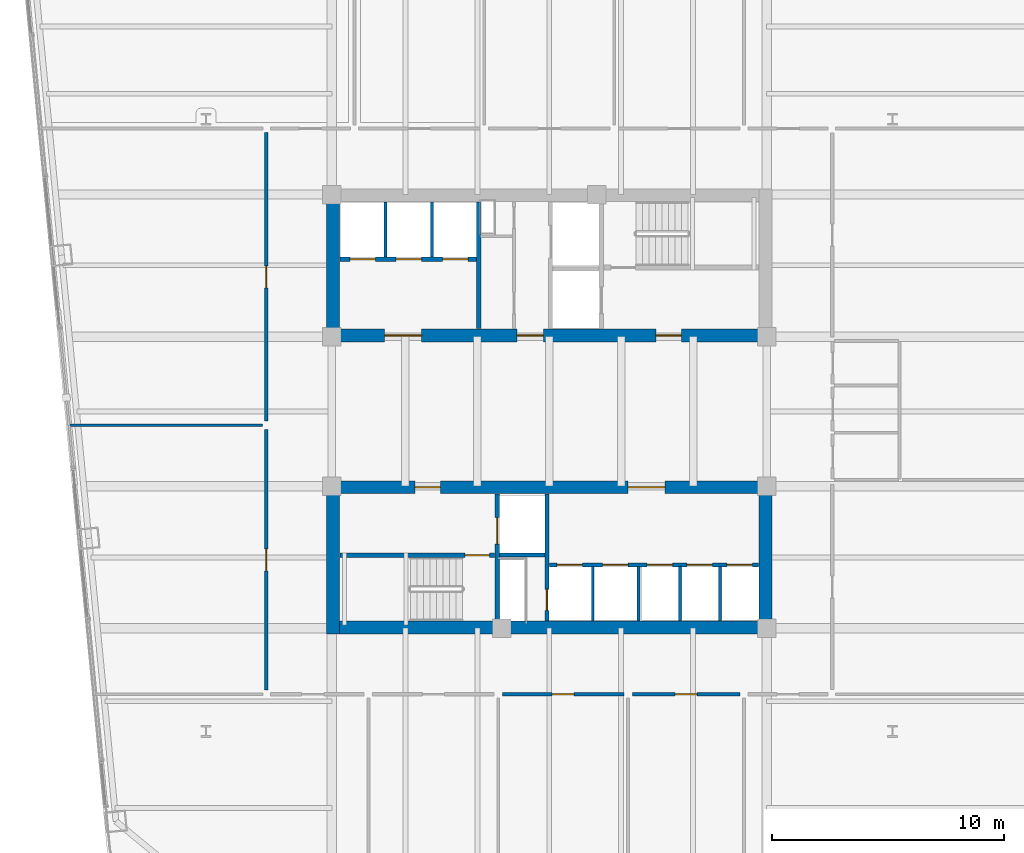
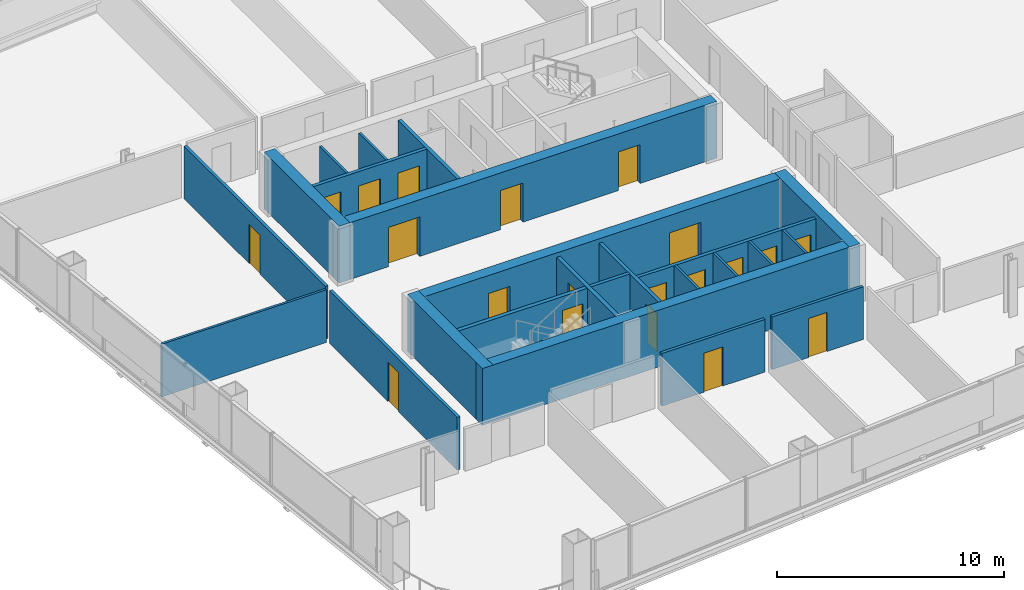
# One storey, part 29 of 34: 24 walls, 20 doors, 20 openings.
"""IFC4 building model written with IfcOpenShell, lengths in metres."""

import ifcopenshell
import ifcopenshell.guid

model = None  # the IFC model being written
_history = None  # IfcOwnerHistory: only IFC2X3 demands one
_inside = {}  # id of a spatial element -> (the spatial element, [elements in it])
_under = {}  # id of a project, library or spatial element -> (it, [spatial elements below it])
_declared = {}  # id of a project -> (the project, [libraries it declares])
_typed = {}  # id of a type object -> (the type object, [elements of that type])
_made_of = {}  # id of a material, layer set ... -> (it, [elements and type objects made of it])


def new_model(schema):
    """Start an empty IFC model of exactly this schema.

    Asked for "IFC4X3", IfcOpenShell would pick the latest addendum, in which some entities
    have other attributes; the version numbers below select the first issue.
    IFC2X3 requires an IfcOwnerHistory on every rooted entity: one is made here for all.
    """
    global model, _history
    if schema == "IFC4X3":
        model = ifcopenshell.file(schema_version=(4, 3, 0, 0))
    else:
        model = ifcopenshell.file(schema=schema)
    _inside.clear()
    _under.clear()
    _declared.clear()
    _typed.clear()
    _made_of.clear()
    _history = None
    if model.schema == "IFC2X3":
        org = make("IfcOrganization", Name="unknown")
        user = make(
            "IfcPersonAndOrganization",
            ThePerson=make("IfcPerson", FamilyName="unknown"),
            TheOrganization=org,
        )
        app = make(
            "IfcApplication",
            ApplicationDeveloper=org,
            Version="unknown",
            ApplicationFullName="unknown",
            ApplicationIdentifier="unknown",
        )
        _history = make(
            "IfcOwnerHistory",
            OwningUser=user,
            OwningApplication=app,
            ChangeAction="ADDED",
            CreationDate=0,
        )
    return model


def make(cls, **values):
    """One entity of the class cls with the attributes given. An attribute that is None is left unset."""
    return model.create_entity(
        cls, **{name: value for name, value in values.items() if value is not None}
    )


def rooted(cls, **values):
    """An entity with a GlobalId (a new one), such as an element, a storey or a relation."""
    return make(cls, GlobalId=ifcopenshell.guid.new(), OwnerHistory=_history, **values)


def si_unit(unit_type, name, prefix=None):
    """IfcSIUnit, for example si_unit("LENGTHUNIT", "METRE", prefix="MILLI")."""
    return make("IfcSIUnit", UnitType=unit_type, Prefix=prefix, Name=name)


def assignment(units):
    """IfcUnitAssignment: the units of a project."""
    return None if units is None else make("IfcUnitAssignment", Units=units)


def point(xyz):
    """IfcCartesianPoint."""
    return None if xyz is None else make("IfcCartesianPoint", Coordinates=xyz)


def direction(xyz):
    """IfcDirection."""
    return None if xyz is None else make("IfcDirection", DirectionRatios=xyz)


def frame(location, z_axis=None, x_axis=None):
    """IfcAxis2Placement3D, a coordinate frame: its origin and axes. An axis left out is left unset."""
    return make(
        "IfcAxis2Placement3D",
        Location=point(location),
        Axis=direction(z_axis),
        RefDirection=direction(x_axis),
    )


def frame_2d(location, x_axis=None):
    """IfcAxis2Placement2D, a coordinate frame in the plane: its origin and x axis."""
    return make(
        "IfcAxis2Placement2D", Location=point(location), RefDirection=direction(x_axis)
    )


def origin():
    """The frame at (0, 0, 0) with its axes left unset."""
    return frame((0.0, 0.0, 0.0))


def place(relative_to, where):
    """IfcLocalPlacement: puts the frame where relative to a parent placement (None: the world)."""
    return make(
        "IfcLocalPlacement", PlacementRelTo=relative_to, RelativePlacement=where
    )


def context(
    kind, dimensions, precision=None, world=None, true_north=None, identifier=None
):
    """IfcGeometricRepresentationContext, for example the 3D "Model" context."""
    return make(
        "IfcGeometricRepresentationContext",
        ContextIdentifier=identifier,
        ContextType=kind,
        CoordinateSpaceDimension=dimensions,
        Precision=precision,
        WorldCoordinateSystem=world,
        TrueNorth=true_north,
    )


def subcontext(parent, identifier, kind, view, scale=None):
    """IfcGeometricRepresentationSubContext, for example "Body" below "Model"."""
    return make(
        "IfcGeometricRepresentationSubContext",
        ContextIdentifier=identifier,
        ContextType=kind,
        ParentContext=parent,
        TargetScale=scale,
        TargetView=view,
    )


def project(units=None, contexts=None):
    """IfcProject with its units and contexts."""
    return rooted(
        "IfcProject",
        Name="project",
        RepresentationContexts=contexts,
        UnitsInContext=assignment(units),
    )


def spatial(cls, under=None, at=None, **own):
    """A site, building, storey or space (cls), placed at a placement, below another one or the project."""
    s = rooted(cls, ObjectPlacement=at, **own)
    if under is not None:
        _under.setdefault(under.id(), (under, []))[1].append(s)
    return s


def profile(cls, at=None, kind="AREA", **sizes):
    """A parametric profile (cls). Its sizes go by their IFC names, for example OverallWidth=200.0."""
    return make(cls, ProfileType=kind, Position=at, **sizes)


def rectangle(**sizes):
    """IfcRectangleProfileDef."""
    return profile("IfcRectangleProfileDef", **sizes)


def extrude(swept, where, along, depth):
    """IfcExtrudedAreaSolid: the profile swept, set in the frame where, extruded along a direction by depth."""
    return make(
        "IfcExtrudedAreaSolid",
        SweptArea=swept,
        Position=where,
        ExtrudedDirection=direction(along),
        Depth=depth,
    )


def shape(context_of_items, identifier, shape_type, items):
    """IfcShapeRepresentation: the items that make up one representation, for example the "Body"."""
    return make(
        "IfcShapeRepresentation",
        ContextOfItems=context_of_items,
        RepresentationIdentifier=identifier,
        RepresentationType=shape_type,
        Items=items,
    )


def material(Name=None, Category=None):
    """IfcMaterial."""
    return make("IfcMaterial", Name=Name, Category=Category)


def layer(
    of_material, thickness, ventilated=None, Name=None, Category=None, Priority=None
):
    """IfcMaterialLayer: one layer of a wall or slab, of a material (None: an air gap)."""
    return make(
        "IfcMaterialLayer",
        Material=of_material,
        LayerThickness=thickness,
        IsVentilated=ventilated,
        Name=Name,
        Category=Category,
        Priority=Priority,
    )


def layer_set(layers, Name=None):
    """IfcMaterialLayerSet."""
    return make("IfcMaterialLayerSet", MaterialLayers=layers, LayerSetName=Name)


def made_of(thing, what):
    """Note that an element or type object is made of a material, layer set ...; save() writes the relation."""
    if what is not None:
        _made_of.setdefault(what.id(), (what, []))[1].append(thing)
    return thing


def type_object(cls, material=None, **own):
    """A type object (cls), such as IfcWallType, which elements share."""
    return made_of(rooted(cls, **own), material)


def element(
    cls,
    number,
    at=None,
    inside=None,
    cuts=None,
    type_object=None,
    material=None,
    context=None,
    identifier="Body",
    shape_type=None,
    held_by="IfcProductDefinitionShape",
    body=None,
    shapes=None,
    **own,
):
    """One element of the class cls, such as IfcWall. Its Tag is "e" and its number.

    at: its placement. inside: the storey or other place that contains it. cuts: it is an
    opening in that element (IfcRelVoidsElement). A single representation is given by context,
    identifier, shape_type and body (its items); several are given by shapes. held_by: the class
    of the entity that holds the representations. save() writes the other relations.
    """
    e = rooted(cls, Tag="e%d" % number, ObjectPlacement=at, **own)
    if body is not None:
        shapes = [shape(context, identifier, shape_type, body)]
    if shapes is not None:
        e.Representation = make(held_by, Representations=shapes)
    if inside is not None:
        _inside.setdefault(inside.id(), (inside, []))[1].append(e)
    if cuts is not None:
        rooted(
            "IfcRelVoidsElement", RelatingBuildingElement=cuts, RelatedOpeningElement=e
        )
    if type_object is not None:
        _typed.setdefault(type_object.id(), (type_object, []))[1].append(e)
    return made_of(e, material)


def fill(opening, filler):
    """IfcRelFillsElement: the door or window that sits in an opening."""
    return rooted(
        "IfcRelFillsElement",
        RelatingOpeningElement=opening,
        RelatedBuildingElement=filler,
    )


def aggregate(whole, parts):
    """IfcRelAggregates: a whole, such as a stair, and the parts it consists of."""
    return rooted("IfcRelAggregates", RelatingObject=whole, RelatedObjects=parts)


def save(model, path):
    """Write the relations noted so far, then the file.

    IfcRelAggregates (storeys below a building ...), IfcRelContainedInSpatialStructure (elements
    in a storey), IfcRelDefinesByType, IfcRelAssociatesMaterial and IfcRelDeclares: one each for
    every whole, place, type object, material and project.
    """
    for whole, parts in _under.values():
        aggregate(whole, parts)
    for where, things in _inside.values():
        rooted(
            "IfcRelContainedInSpatialStructure",
            RelatedElements=things,
            RelatingStructure=where,
        )
    for kind, things in _typed.values():
        rooted("IfcRelDefinesByType", RelatedObjects=things, RelatingType=kind)
    for what, things in _made_of.values():
        rooted("IfcRelAssociatesMaterial", RelatedObjects=things, RelatingMaterial=what)
    for by, libraries in _declared.values():
        rooted("IfcRelDeclares", RelatingContext=by, RelatedDefinitions=libraries)
    model.write(path)


model = new_model("IFC4")

# Units and contexts
model_context = context("Model", 3, precision=1e-05, world=origin(), true_north=direction((0.0, 1.0)))
body_context = subcontext(model_context, "Body", "Model", "MODEL_VIEW")
ifc_project = project(units=[si_unit("LENGTHUNIT", "METRE"), si_unit("AREAUNIT", "SQUARE_METRE"), si_unit("VOLUMEUNIT", "CUBIC_METRE"), si_unit("PLANEANGLEUNIT", "RADIAN"), si_unit("MASSUNIT", "GRAM", prefix="KILO")], contexts=[model_context])

# Site, building, storey
site_placement = place(None, origin())
site = spatial("IfcSite", under=ifc_project, at=site_placement, CompositionType="ELEMENT")
building_placement = place(site_placement, origin())
building = spatial("IfcBuilding", under=site, at=building_placement, Name="Qhalaya Broadcast Tower", CompositionType="ELEMENT")
storey_placement = place(building_placement, frame((0.0, 0.0, 78.60009765625)))
storey = spatial("IfcBuildingStorey", under=building, at=storey_placement, Name="L22", CompositionType="ELEMENT", Elevation=78.60009765625)

# Wall, opening, door
ifc_material_1 = material(Name="Gypsum Acoustic Partition")
ifc_layer_1 = layer(ifc_material_1, 0.14990234375, Name="Gypsum Acoustic Partition")
ifc_layer_set_1 = layer_set([ifc_layer_1], Name="Gypsum Acoustic Partition")
wall_type_1 = type_object("IfcWallType", Name="Corridor & Tenancy Acoustic Partition 150", PredefinedType="PARTITIONING", material=ifc_layer_set_1)
wall_1_placement = place(storey_placement, frame((-2.02001953125, -11.60009765625, 0.0), z_axis=(0.0, 0.0, 1.0), x_axis=(1.0, 0.0, 0.0)))
wall_1 = element("IfcWall", 1, at=wall_1_placement, inside=storey, type_object=wall_type_1, Name="L22 Partition Wall W-COR-08", PredefinedType="PARTITIONING", context=body_context, shape_type="SweptSolid", body=[
    extrude(rectangle(XDim=5.239990234375, YDim=0.14990234375, at=frame_2d((2.6201171875, 0.0))), origin(), (0.0, 0.0, 1.0), 2.829833984375),
])
opening_1_placement = place(wall_1_placement, frame((2.14501953125, 0.0, 0.0)))
opening_1 = element("IfcOpeningElement", 2, at=opening_1_placement, cuts=wall_1, Name="Opening D10", PredefinedType="OPENING", context=body_context, shape_type="SweptSolid", body=[
    extrude(rectangle(XDim=0.949951171875, YDim=2.10009765625, at=frame_2d((0.47509765625, 1.050048828125))), frame((0.0, 0.0869140625, 0.0), z_axis=(0.0, -1.0, 0.0), x_axis=(1.0, 0.0, 0.0)), (0.0, 0.0, 1.0), 0.173828125),
])
ifc_material_2 = material(Name="Timber Veneer Acoustic Door", Category="wood")
door_type_1 = type_object("IfcDoorType", Name="Cellular Office & Edit Booth Door D10", OperationType="NOTDEFINED", PredefinedType="DOOR", material=ifc_material_2)
door_1_placement = place(opening_1_placement, origin())
door_1 = element("IfcDoor", 3, at=door_1_placement, inside=storey, type_object=door_type_1, Name="L22 Door D-RM08", OperationType="SINGLE_SWING_LEFT", OverallHeight=2.10009765625, OverallWidth=0.949951171875, PredefinedType="DOOR", context=body_context, shape_type="SweptSolid", body=[
    extrude(rectangle(XDim=0.949951171875, YDim=2.10009765625, at=frame_2d((0.47509765625, 1.050048828125))), frame((0.0, 0.02490234375, 0.0), z_axis=(0.0, -1.0, 0.0), x_axis=(1.0, 0.0, 0.0)), (0.0, 0.0, 1.0), 0.050048828125),
])
fill(opening_1, door_1)

wall_2_placement = place(storey_placement, frame((3.580078125, -11.60009765625, 0.0), z_axis=(0.0, 0.0, 1.0), x_axis=(1.0, 0.0, 0.0)))
wall_2 = element("IfcWall", 4, at=wall_2_placement, inside=storey, type_object=wall_type_1, Name="L22 Partition Wall W-COR-09", PredefinedType="PARTITIONING", context=body_context, shape_type="SweptSolid", body=[
    extrude(rectangle(XDim=4.639892578125, YDim=0.14990234375, at=frame_2d((2.31982421875, 0.0))), origin(), (0.0, 0.0, 1.0), 2.829833984375),
])
opening_2_placement = place(wall_2_placement, frame((1.844970703125, 0.0, 0.0)))
opening_2 = element("IfcOpeningElement", 5, at=opening_2_placement, cuts=wall_2, Name="Opening D10", PredefinedType="OPENING", context=body_context, shape_type="SweptSolid", body=[
    extrude(rectangle(XDim=0.949951171875, YDim=2.10009765625, at=frame_2d((0.47509765625, 1.050048828125))), frame((0.0, 0.0869140625, 0.0), z_axis=(0.0, -1.0, 0.0), x_axis=(1.0, 0.0, 0.0)), (0.0, 0.0, 1.0), 0.173828125),
])
door_2_placement = place(opening_2_placement, origin())
door_2 = element("IfcDoor", 6, at=door_2_placement, inside=storey, type_object=door_type_1, Name="L22 Door D-RM09", OperationType="SINGLE_SWING_RIGHT", OverallHeight=2.10009765625, OverallWidth=0.949951171875, PredefinedType="DOOR", context=body_context, shape_type="SweptSolid", body=[
    extrude(rectangle(XDim=0.949951171875, YDim=2.10009765625, at=frame_2d((0.47509765625, 1.050048828125))), frame((0.0, 0.02490234375, 0.0), z_axis=(0.0, -1.0, 0.0), x_axis=(1.0, 0.0, 0.0)), (0.0, 0.0, 1.0), 0.050048828125),
])
fill(opening_2, door_2)

wall_3_placement = place(storey_placement, frame((-12.199951171875, -11.419921875, 0.0), z_axis=(0.0, 0.0, 1.0), x_axis=(0.0, 1.0, 0.0)))
wall_3 = element("IfcWall", 7, at=wall_3_placement, inside=storey, type_object=wall_type_1, Name="L22 Partition Wall W-COR-11", PredefinedType="PARTITIONING", context=body_context, shape_type="SweptSolid", body=[
    extrude(rectangle(XDim=11.239990234375, YDim=0.14990234375, at=frame_2d((5.6201171875, 0.0))), origin(), (0.0, 0.0, 1.0), 2.829833984375),
])
opening_3_placement = place(wall_3_placement, frame((5.14501953125, 0.0, 0.0)))
opening_3 = element("IfcOpeningElement", 8, at=opening_3_placement, cuts=wall_3, Name="Opening D10", PredefinedType="OPENING", context=body_context, shape_type="SweptSolid", body=[
    extrude(rectangle(XDim=0.949951171875, YDim=2.10009765625, at=frame_2d((0.47509765625, 1.050048828125))), frame((0.0, 0.0869140625, 0.0), z_axis=(0.0, -1.0, 0.0), x_axis=(1.0, 0.0, 0.0)), (0.0, 0.0, 1.0), 0.173828125),
])
door_3_placement = place(opening_3_placement, origin())
door_3 = element("IfcDoor", 9, at=door_3_placement, inside=storey, type_object=door_type_1, Name="L22 Door D-RM11", OperationType="SINGLE_SWING_RIGHT", OverallHeight=2.10009765625, OverallWidth=0.949951171875, PredefinedType="DOOR", context=body_context, shape_type="SweptSolid", body=[
    extrude(rectangle(XDim=0.949951171875, YDim=2.10009765625, at=frame_2d((0.47509765625, 1.050048828125))), frame((0.0, 0.02490234375, 0.0), z_axis=(0.0, -1.0, 0.0), x_axis=(1.0, 0.0, 0.0)), (0.0, 0.0, 1.0), 0.050048828125),
])
fill(opening_3, door_3)

wall_4_placement = place(storey_placement, frame((-12.199951171875, 0.179931640625, 0.0), z_axis=(0.0, 0.0, 1.0), x_axis=(0.0, 1.0, 0.0)))
wall_4 = element("IfcWall", 10, at=wall_4_placement, inside=storey, type_object=wall_type_1, Name="L22 Partition Wall W-COR-12", PredefinedType="PARTITIONING", context=body_context, shape_type="SweptSolid", body=[
    extrude(rectangle(XDim=12.440185546875, YDim=0.14990234375, at=frame_2d((6.22021484375, 0.0))), origin(), (0.0, 0.0, 1.0), 2.829833984375),
])
opening_4_placement = place(wall_4_placement, frame((5.7451171875, 0.0, 0.0)))
opening_4 = element("IfcOpeningElement", 11, at=opening_4_placement, cuts=wall_4, Name="Opening D10", PredefinedType="OPENING", context=body_context, shape_type="SweptSolid", body=[
    extrude(rectangle(XDim=0.949951171875, YDim=2.10009765625, at=frame_2d((0.47509765625, 1.050048828125))), frame((0.0, 0.0869140625, 0.0), z_axis=(0.0, -1.0, 0.0), x_axis=(1.0, 0.0, 0.0)), (0.0, 0.0, 1.0), 0.173828125),
])
door_4_placement = place(opening_4_placement, origin())
door_4 = element("IfcDoor", 12, at=door_4_placement, inside=storey, type_object=door_type_1, Name="L22 Door D-RM12", OperationType="SINGLE_SWING_LEFT", OverallHeight=2.10009765625, OverallWidth=0.949951171875, PredefinedType="DOOR", context=body_context, shape_type="SweptSolid", body=[
    extrude(rectangle(XDim=0.949951171875, YDim=2.10009765625, at=frame_2d((0.47509765625, 1.050048828125))), frame((0.0, 0.02490234375, 0.0), z_axis=(0.0, -1.0, 0.0), x_axis=(1.0, 0.0, 0.0)), (0.0, 0.0, 1.0), 0.050048828125),
])
fill(opening_4, door_4)

ifc_material_3 = material(Name="Concrete C50/60", Category="concrete")
ifc_layer_2 = layer(ifc_material_3, 0.199951171875, Name="Concrete C50/60")
ifc_layer_set_2 = layer_set([ifc_layer_2], Name="Concrete C50/60")
wall_type_2 = type_object("IfcWallType", Name="Load-Bearing Stair Shaft Wall 200", PredefinedType="SHEAR", material=ifc_layer_set_2)
wall_5_placement = place(storey_placement, frame((-9.030029296875, -5.60498046875, 0.0), z_axis=(0.0, 0.0, 1.0), x_axis=(1.0, 0.0, 0.0)))
wall_5 = element("IfcWall", 13, at=wall_5_placement, inside=storey, type_object=wall_type_2, Name="L22 Stair Core Shear Wall SCW-ST2", PredefinedType="SHEAR", context=body_context, shape_type="SweptSolid", body=[
    extrude(rectangle(XDim=6.669921875, YDim=0.199951171875, at=frame_2d((3.3349609375, 0.0))), origin(), (0.0, 0.0, 1.0), 2.829833984375),
])
opening_5_placement = place(wall_5_placement, frame((5.39990234375, 0.0, 0.0)))
opening_5 = element("IfcOpeningElement", 14, at=opening_5_placement, cuts=wall_5, Name="Opening D03", PredefinedType="OPENING", context=body_context, shape_type="SweptSolid", body=[
    extrude(rectangle(XDim=1.050048828125, YDim=2.080078125, at=frame_2d((0.52490234375, 1.0400390625))), frame((0.0, 0.112060546875, 0.0), z_axis=(0.0, -1.0, 0.0), x_axis=(1.0, 0.0, 0.0)), (0.0, 0.0, 1.0), 0.223876953125),
])
ifc_material_4 = material(Name="Fire-Rated Steel Door", Category="steel")
door_type_2 = type_object("IfcDoorType", Name="Core Stair Protected Fire Door D03", OperationType="NOTDEFINED", PredefinedType="DOOR", material=ifc_material_4)
door_5_placement = place(opening_5_placement, origin())
door_5 = element("IfcDoor", 15, at=door_5_placement, inside=storey, type_object=door_type_2, Name="L22 Door D-SST2", OperationType="SINGLE_SWING_RIGHT", OverallHeight=2.080078125, OverallWidth=1.050048828125, PredefinedType="DOOR", context=body_context, shape_type="SweptSolid", body=[
    extrude(rectangle(XDim=1.050048828125, YDim=2.080078125, at=frame_2d((0.52490234375, 1.0400390625))), frame((0.0, 0.02490234375, 0.0), z_axis=(0.0, -1.0, 0.0), x_axis=(1.0, 0.0, 0.0)), (0.0, 0.0, 1.0), 0.050048828125),
])
fill(opening_5, door_5)

wall_6_placement = place(storey_placement, frame((-2.25, -8.429931640625, 0.0), z_axis=(0.0, 0.0, 1.0), x_axis=(0.0, 1.0, 0.0)))
wall_6 = element("IfcWall", 16, at=wall_6_placement, inside=storey, type_object=wall_type_2, Name="L22 Stair Core Shear Wall SCW-FF", PredefinedType="SHEAR", context=body_context, shape_type="SweptSolid", body=[
    extrude(rectangle(XDim=5.4599609375, YDim=0.199951171875, at=frame_2d((2.72998046875, 0.0))), origin(), (0.0, 0.0, 1.0), 2.829833984375),
])
opening_6_placement = place(wall_6_placement, frame((3.300048828125, 0.0, 0.0)))
opening_6 = element("IfcOpeningElement", 17, at=opening_6_placement, cuts=wall_6, Name="Opening LD2", PredefinedType="OPENING", context=body_context, shape_type="SweptSolid", body=[
    extrude(rectangle(XDim=1.14990234375, YDim=2.080078125, at=frame_2d((0.574951171875, 1.0400390625))), frame((0.0, 0.112060546875, 0.0), z_axis=(0.0, -1.0, 0.0), x_axis=(1.0, 0.0, 0.0)), (0.0, 0.0, 1.0), 0.223876953125),
])
ifc_material_5 = material(Name="Brushed Stainless Steel Lift Door", Category="steel")
door_type_3 = type_object("IfcDoorType", Name="Firefighting Lift Sliding Landing Door LD2", OperationType="DOUBLE_DOOR_SLIDING", PredefinedType="DOOR", material=ifc_material_5)
door_6_placement = place(opening_6_placement, origin())
door_6 = element("IfcDoor", 18, at=door_6_placement, inside=storey, type_object=door_type_3, Name="L22 Door LD-FF2", OperationType="DOUBLE_DOOR_SLIDING", OverallHeight=2.080078125, OverallWidth=1.14990234375, PredefinedType="DOOR", context=body_context, shape_type="SweptSolid", body=[
    extrude(rectangle(XDim=1.14990234375, YDim=2.080078125, at=frame_2d((0.574951171875, 1.0400390625))), frame((0.0, 0.02490234375, 0.0), z_axis=(0.0, -1.0, 0.0), x_axis=(1.0, 0.0, 0.0)), (0.0, 0.0, 1.0), 0.050048828125),
])
fill(opening_6, door_6)

# Wall, openings, doors
ifc_material_6 = material(Name="Concrete C60/75", Category="concrete")
ifc_layer_3 = layer(ifc_material_6, 0.550048828125, Name="Concrete C60/75")
ifc_layer_set_3 = layer_set([ifc_layer_3], Name="Concrete C60/75")
wall_type_3 = type_object("IfcWallType", Name="Lower Split-Core Shear Wall 550", PredefinedType="SHEAR", material=ifc_layer_set_3)
wall_7_placement = place(storey_placement, frame((-9.60009765625, 3.875, 0.0), z_axis=(0.0, 0.0, 1.0), x_axis=(1.0, 0.0, 0.0)))
wall_7 = element("IfcWall", 19, at=wall_7_placement, inside=storey, type_object=wall_type_3, Name="L22 Split-Core Shear Wall CW-NS", PredefinedType="SHEAR", context=body_context, shape_type="SweptSolid", body=[
    extrude(rectangle(XDim=19.2001953125, YDim=0.550048828125, at=frame_2d((9.60009765625, 0.0))), origin(), (0.0, 0.0, 1.0), 3.0498046875),
])
opening_7_placement = place(wall_7_placement, frame((14.199951171875, 0.0, 0.0)))
opening_7 = element("IfcOpeningElement", 20, at=opening_7_placement, cuts=wall_7, Name="Opening D04", PredefinedType="OPENING", context=body_context, shape_type="SweptSolid", body=[
    extrude(rectangle(XDim=1.10009765625, YDim=2.080078125, at=frame_2d((0.550048828125, 1.0400390625))), frame((0.0, 0.287109375, 0.0), z_axis=(0.0, -1.0, 0.0), x_axis=(1.0, 0.0, 0.0)), (0.0, 0.0, 1.0), 0.573974609375),
])
opening_8_placement = place(wall_7_placement, frame((8.199951171875, 0.0, 0.0)))
opening_8 = element("IfcOpeningElement", 21, at=opening_8_placement, cuts=wall_7, Name="Opening D05", PredefinedType="OPENING", context=body_context, shape_type="SweptSolid", body=[
    extrude(rectangle(XDim=1.14990234375, YDim=2.10009765625, at=frame_2d((0.574951171875, 1.050048828125))), frame((0.0, 0.287109375, 0.0), z_axis=(0.0, -1.0, 0.0), x_axis=(1.0, 0.0, 0.0)), (0.0, 0.0, 1.0), 0.573974609375),
])
opening_9_placement = place(wall_7_placement, frame((2.5, 0.0, 0.0)))
opening_9 = element("IfcOpeningElement", 22, at=opening_9_placement, cuts=wall_7, Name="Opening D07", PredefinedType="OPENING", context=body_context, shape_type="SweptSolid", body=[
    extrude(rectangle(XDim=1.60009765625, YDim=2.1201171875, at=frame_2d((0.800048828125, 1.06005859375))), frame((0.0, 0.287109375, 0.0), z_axis=(0.0, -1.0, 0.0), x_axis=(1.0, 0.0, 0.0)), (0.0, 0.0, 1.0), 0.573974609375),
])
door_type_4 = type_object("IfcDoorType", Name="Firefighting Lobby Rated Door D04", OperationType="NOTDEFINED", PredefinedType="DOOR", material=ifc_material_4)
door_7_placement = place(opening_7_placement, origin())
door_7 = element("IfcDoor", 23, at=door_7_placement, inside=storey, type_object=door_type_4, Name="L22 Door D-NFF", OperationType="SINGLE_SWING_RIGHT", OverallHeight=2.080078125, OverallWidth=1.10009765625, PredefinedType="DOOR", context=body_context, shape_type="SweptSolid", body=[
    extrude(rectangle(XDim=1.10009765625, YDim=2.080078125, at=frame_2d((0.550048828125, 1.0400390625))), frame((0.0, 0.02490234375, 0.0), z_axis=(0.0, -1.0, 0.0), x_axis=(1.0, 0.0, 0.0)), (0.0, 0.0, 1.0), 0.050048828125),
])
fill(opening_7, door_7)
ifc_material_7 = material(Name="Anodised Aluminium Glazed Door", Category="aluminium")
door_type_5 = type_object("IfcDoorType", Name="Passenger Lift Lobby Double Glazed Door D07", OperationType="DOUBLE_DOOR_SINGLE_SWING", PredefinedType="DOOR", material=ifc_material_7)
door_8_placement = place(opening_9_placement, origin())
door_8 = element("IfcDoor", 24, at=door_8_placement, inside=storey, type_object=door_type_5, Name="L22 Door D-NPLL", OperationType="DOUBLE_DOOR_SINGLE_SWING", OverallHeight=2.1201171875, OverallWidth=1.60009765625, PredefinedType="DOOR", context=body_context, shape_type="SweptSolid", body=[
    extrude(rectangle(XDim=1.60009765625, YDim=2.1201171875, at=frame_2d((0.800048828125, 1.06005859375))), frame((0.0, 0.02490234375, 0.0), z_axis=(0.0, -1.0, 0.0), x_axis=(1.0, 0.0, 0.0)), (0.0, 0.0, 1.0), 0.050048828125),
])
fill(opening_9, door_8)
door_type_6 = type_object("IfcDoorType", Name="Refuge & Plant Room Fire Door D05", OperationType="NOTDEFINED", PredefinedType="DOOR", material=ifc_material_4)
door_9_placement = place(opening_8_placement, origin())
door_9 = element("IfcDoor", 25, at=door_9_placement, inside=storey, type_object=door_type_6, Name="L22 Door D-NSVL", OperationType="SINGLE_SWING_LEFT", OverallHeight=2.10009765625, OverallWidth=1.14990234375, PredefinedType="DOOR", context=body_context, shape_type="SweptSolid", body=[
    extrude(rectangle(XDim=1.14990234375, YDim=2.10009765625, at=frame_2d((0.574951171875, 1.050048828125))), frame((0.0, 0.02490234375, 0.0), z_axis=(0.0, -1.0, 0.0), x_axis=(1.0, 0.0, 0.0)), (0.0, 0.0, 1.0), 0.050048828125),
])
fill(opening_8, door_9)

# Walls
wall_8_placement = place(storey_placement, frame((-9.324951171875, 3.60009765625, 0.0), z_axis=(0.0, 0.0, 1.0), x_axis=(0.0, 1.0, 0.0)))
element("IfcWall", 26, at=wall_8_placement, inside=storey, type_object=wall_type_3, Name="L22 Split-Core Shear Wall CW-NW", PredefinedType="SHEAR", context=body_context, shape_type="SweptSolid", body=[
    extrude(rectangle(XDim=6.599853515625, YDim=0.550048828125, at=frame_2d((3.2998046875, 0.0))), origin(), (0.0, 0.0, 1.0), 3.0498046875),
])
wall_9_placement = place(storey_placement, frame((-9.60009765625, -8.72509765625, 0.0), z_axis=(0.0, 0.0, 1.0), x_axis=(1.0, 0.0, 0.0)))
element("IfcWall", 27, at=wall_9_placement, inside=storey, type_object=wall_type_3, Name="L22 Split-Core Shear Wall CW-SS", PredefinedType="SHEAR", context=body_context, shape_type="SweptSolid", body=[
    extrude(rectangle(XDim=19.2001953125, YDim=0.550048828125, at=frame_2d((9.60009765625, 0.0))), origin(), (0.0, 0.0, 1.0), 3.0498046875),
])

# Wall, openings, doors
wall_10_placement = place(storey_placement, frame((-9.60009765625, -2.675048828125, 0.0), z_axis=(0.0, 0.0, 1.0), x_axis=(1.0, 0.0, 0.0)))
wall_10 = element("IfcWall", 28, at=wall_10_placement, inside=storey, type_object=wall_type_3, Name="L22 Split-Core Shear Wall CW-SN", PredefinedType="SHEAR", context=body_context, shape_type="SweptSolid", body=[
    extrude(rectangle(XDim=19.2001953125, YDim=0.550048828125, at=frame_2d((9.60009765625, 0.0))), origin(), (0.0, 0.0, 1.0), 3.0498046875),
])
opening_10_placement = place(wall_10_placement, frame((3.800048828125, 0.0, 0.0)))
opening_10 = element("IfcOpeningElement", 29, at=opening_10_placement, cuts=wall_10, Name="Opening D04", PredefinedType="OPENING", context=body_context, shape_type="SweptSolid", body=[
    extrude(rectangle(XDim=1.10009765625, YDim=2.080078125, at=frame_2d((0.550048828125, 1.0400390625))), frame((0.0, 0.287109375, 0.0), z_axis=(0.0, -1.0, 0.0), x_axis=(1.0, 0.0, 0.0)), (0.0, 0.0, 1.0), 0.573974609375),
])
opening_11_placement = place(wall_10_placement, frame((13.0, 0.0, 0.0)))
opening_11 = element("IfcOpeningElement", 30, at=opening_11_placement, cuts=wall_10, Name="Opening D07", PredefinedType="OPENING", context=body_context, shape_type="SweptSolid", body=[
    extrude(rectangle(XDim=1.60009765625, YDim=2.1201171875, at=frame_2d((0.800048828125, 1.06005859375))), frame((0.0, 0.287109375, 0.0), z_axis=(0.0, -1.0, 0.0), x_axis=(1.0, 0.0, 0.0)), (0.0, 0.0, 1.0), 0.573974609375),
])
door_10_placement = place(opening_10_placement, origin())
door_10 = element("IfcDoor", 31, at=door_10_placement, inside=storey, type_object=door_type_4, Name="L22 Door D-SFF", OperationType="SINGLE_SWING_LEFT", OverallHeight=2.080078125, OverallWidth=1.10009765625, PredefinedType="DOOR", context=body_context, shape_type="SweptSolid", body=[
    extrude(rectangle(XDim=1.10009765625, YDim=2.080078125, at=frame_2d((0.550048828125, 1.0400390625))), frame((0.0, 0.02490234375, 0.0), z_axis=(0.0, -1.0, 0.0), x_axis=(1.0, 0.0, 0.0)), (0.0, 0.0, 1.0), 0.050048828125),
])
fill(opening_10, door_10)
door_11_placement = place(opening_11_placement, origin())
door_11 = element("IfcDoor", 32, at=door_11_placement, inside=storey, type_object=door_type_5, Name="L22 Door D-SPLL", OperationType="DOUBLE_DOOR_SINGLE_SWING", OverallHeight=2.1201171875, OverallWidth=1.60009765625, PredefinedType="DOOR", context=body_context, shape_type="SweptSolid", body=[
    extrude(rectangle(XDim=1.60009765625, YDim=2.1201171875, at=frame_2d((0.800048828125, 1.06005859375))), frame((0.0, 0.02490234375, 0.0), z_axis=(0.0, -1.0, 0.0), x_axis=(1.0, 0.0, 0.0)), (0.0, 0.0, 1.0), 0.050048828125),
])
fill(opening_11, door_11)

# Walls
for number, where, z_axis, x_axis, name in (
    (33, (-9.324951171875, -9.0, 0.0), (0.0, 0.0, 1.0), (0.0, 1.0, 0.0), "L22 Split-Core Shear Wall CW-SW"),
    (34, (9.324951171875, -9.0, 0.0), (0.0, 0.0, 1.0), (0.0, 1.0, 0.0), "L22 Split-Core Shear Wall CW-SE"),
):
    element("IfcWall", number, at=place(storey_placement, frame(where, z_axis=z_axis, x_axis=x_axis)), inside=storey, type_object=wall_type_3, Name=name, PredefinedType="SHEAR", context=body_context, shape_type="SweptSolid", body=[
        extrude(rectangle(XDim=6.60009765625, YDim=0.550048828125, at=frame_2d((3.300048828125, 0.0))), origin(), (0.0, 0.0, 1.0), 3.0498046875),
    ])
ifc_layer_4 = layer(ifc_material_1, 0.1201171875, Name="Gypsum Acoustic Partition")
ifc_layer_set_4 = layer_set([ifc_layer_4], Name="Gypsum Acoustic Partition")
wall_type_4 = type_object("IfcWallType", Name="Office, Booth & Sanitary Partition 120", PredefinedType="PARTITIONING", material=ifc_layer_set_4)
for number, where, z_axis, x_axis, name in (
    (35, (-7.06005859375, 7.25, 0.0), (0.0, 0.0, 1.0), (0.0, 1.0, 0.0), "L22 Partition Wall NCW-PD1"),
    (36, (-5.06005859375, 7.25, 0.0), (0.0, 0.0, 1.0), (0.0, 1.0, 0.0), "L22 Partition Wall NCW-PD2"),
):
    element("IfcWall", number, at=place(storey_placement, frame(where, z_axis=z_axis, x_axis=x_axis)), inside=storey, type_object=wall_type_4, Name=name, PredefinedType="PARTITIONING", context=body_context, shape_type="SweptSolid", body=[
        extrude(rectangle(XDim=2.3798828125, YDim=0.1201171875, at=frame_2d((1.18994140625, 0.0))), origin(), (0.0, 0.0, 1.0), 2.829833984375),
    ])
for number, where, z_axis, x_axis, name in (
    (37, (1.8798828125, -8.429931640625, 0.0), (0.0, 0.0, 1.0), (0.0, 1.0, 0.0), "L22 Partition Wall SCW-MD4"),
    (38, (3.85009765625, -8.429931640625, 0.0), (0.0, 0.0, 1.0), (0.0, 1.0, 0.0), "L22 Partition Wall SCW-MD5"),
    (39, (5.639892578125, -8.429931640625, 0.0), (0.0, 0.0, 1.0), (0.0, 1.0, 0.0), "L22 Partition Wall SCW-HD6"),
    (40, (7.360107421875, -8.429931640625, 0.0), (0.0, 0.0, 1.0), (0.0, 1.0, 0.0), "L22 Partition Wall SCW-HD7"),
):
    element("IfcWall", number, at=place(storey_placement, frame(where, z_axis=z_axis, x_axis=x_axis)), inside=storey, type_object=wall_type_4, Name=name, PredefinedType="PARTITIONING", context=body_context, shape_type="SweptSolid", body=[
        extrude(rectangle(XDim=2.329833984375, YDim=0.1201171875, at=frame_2d((1.1650390625, 0.0))), origin(), (0.0, 0.0, 1.0), 2.829833984375),
    ])
wall_11_placement = place(storey_placement, frame((-20.71240234375, 0.0, 0.0), z_axis=(0.0, 0.0, 1.0), x_axis=(1.0, 0.0, 0.0)))
element("IfcWall", 41, at=wall_11_placement, inside=storey, type_object=wall_type_4, Name="L22 Partition Wall W-DIVW1", PredefinedType="PARTITIONING", context=body_context, shape_type="SweptSolid", body=[
    extrude(rectangle(XDim=8.352294921875, YDim=0.1201171875, at=frame_2d((4.17626953125, 0.0))), origin(), (0.0, 0.0, 1.0), 2.829833984375),
])
ifc_layer_5 = layer(ifc_material_1, 0.175048828125, Name="Gypsum Acoustic Partition")
ifc_layer_set_5 = layer_set([ifc_layer_5], Name="Gypsum Acoustic Partition")
wall_type_5 = type_object("IfcWallType", Name="Shaft & Riser Fire Partition 175", PredefinedType="PARTITIONING", material=ifc_layer_set_5)
wall_12_placement = place(storey_placement, frame((-3.0400390625, 4.169921875, 0.0), z_axis=(0.0, 0.0, 1.0), x_axis=(0.0, 1.0, 0.0)))
element("IfcWall", 42, at=wall_12_placement, inside=storey, type_object=wall_type_5, Name="L22 Partition Wall NCW-VRW", PredefinedType="PARTITIONING", context=body_context, shape_type="SweptSolid", body=[
    extrude(rectangle(XDim=5.4599609375, YDim=0.175048828125, at=frame_2d((2.72998046875, 0.0))), origin(), (0.0, 0.0, 1.0), 2.829833984375),
])

# Wall, openings, doors
wall_13_placement = place(storey_placement, frame((-9.030029296875, 7.159912109375, 0.0), z_axis=(0.0, 0.0, 1.0), x_axis=(1.0, 0.0, 0.0)))
wall_13 = element("IfcWall", 43, at=wall_13_placement, inside=storey, type_object=wall_type_5, Name="L22 Partition Wall NCW-PLB", PredefinedType="PARTITIONING", context=body_context, shape_type="SweptSolid", body=[
    extrude(rectangle(XDim=5.909912109375, YDim=0.175048828125, at=frame_2d((2.955078125, 0.0))), origin(), (0.0, 0.0, 1.0), 2.829833984375),
])
opening_12_placement = place(wall_13_placement, frame((0.429931640625, 0.0, 0.0)))
opening_12 = element("IfcOpeningElement", 44, at=opening_12_placement, cuts=wall_13, Name="Opening LD1", PredefinedType="OPENING", context=body_context, shape_type="SweptSolid", body=[
    extrude(rectangle(XDim=1.10009765625, YDim=2.06005859375, at=frame_2d((0.550048828125, 1.030029296875))), frame((0.0, 0.099609375, 0.0), z_axis=(0.0, -1.0, 0.0), x_axis=(1.0, 0.0, 0.0)), (0.0, 0.0, 1.0), 0.198974609375),
])
opening_13_placement = place(wall_13_placement, frame((2.429931640625, 0.0, 0.0)))
opening_13 = element("IfcOpeningElement", 45, at=opening_13_placement, cuts=wall_13, Name="Opening LD1", PredefinedType="OPENING", context=body_context, shape_type="SweptSolid", body=[
    extrude(rectangle(XDim=1.10009765625, YDim=2.06005859375, at=frame_2d((0.550048828125, 1.030029296875))), frame((0.0, 0.099609375, 0.0), z_axis=(0.0, -1.0, 0.0), x_axis=(1.0, 0.0, 0.0)), (0.0, 0.0, 1.0), 0.198974609375),
])
opening_14_placement = place(wall_13_placement, frame((4.429931640625, 0.0, 0.0)))
opening_14 = element("IfcOpeningElement", 46, at=opening_14_placement, cuts=wall_13, Name="Opening LD1", PredefinedType="OPENING", context=body_context, shape_type="SweptSolid", body=[
    extrude(rectangle(XDim=1.10009765625, YDim=2.06005859375, at=frame_2d((0.550048828125, 1.030029296875))), frame((0.0, 0.099609375, 0.0), z_axis=(0.0, -1.0, 0.0), x_axis=(1.0, 0.0, 0.0)), (0.0, 0.0, 1.0), 0.198974609375),
])
door_type_7 = type_object("IfcDoorType", Name="Passenger Lift Sliding Landing Door LD1", OperationType="DOUBLE_DOOR_SLIDING", PredefinedType="DOOR", material=ifc_material_5)
door_12_placement = place(opening_12_placement, origin())
door_12 = element("IfcDoor", 47, at=door_12_placement, inside=storey, type_object=door_type_7, Name="L22 Door LD-P1", OperationType="DOUBLE_DOOR_SLIDING", OverallHeight=2.06005859375, OverallWidth=1.10009765625, PredefinedType="DOOR", context=body_context, shape_type="SweptSolid", body=[
    extrude(rectangle(XDim=1.10009765625, YDim=2.06005859375, at=frame_2d((0.550048828125, 1.030029296875))), frame((0.0, 0.02490234375, 0.0), z_axis=(0.0, -1.0, 0.0), x_axis=(1.0, 0.0, 0.0)), (0.0, 0.0, 1.0), 0.050048828125),
])
fill(opening_12, door_12)
door_13_placement = place(opening_13_placement, origin())
door_13 = element("IfcDoor", 48, at=door_13_placement, inside=storey, type_object=door_type_7, Name="L22 Door LD-P2", OperationType="DOUBLE_DOOR_SLIDING", OverallHeight=2.06005859375, OverallWidth=1.10009765625, PredefinedType="DOOR", context=body_context, shape_type="SweptSolid", body=[
    extrude(rectangle(XDim=1.10009765625, YDim=2.06005859375, at=frame_2d((0.550048828125, 1.030029296875))), frame((0.0, 0.02490234375, 0.0), z_axis=(0.0, -1.0, 0.0), x_axis=(1.0, 0.0, 0.0)), (0.0, 0.0, 1.0), 0.050048828125),
])
fill(opening_13, door_13)
door_14_placement = place(opening_14_placement, origin())
door_14 = element("IfcDoor", 49, at=door_14_placement, inside=storey, type_object=door_type_7, Name="L22 Door LD-P3", OperationType="DOUBLE_DOOR_SLIDING", OverallHeight=2.06005859375, OverallWidth=1.10009765625, PredefinedType="DOOR", context=body_context, shape_type="SweptSolid", body=[
    extrude(rectangle(XDim=1.10009765625, YDim=2.06005859375, at=frame_2d((0.550048828125, 1.030029296875))), frame((0.0, 0.02490234375, 0.0), z_axis=(0.0, -1.0, 0.0), x_axis=(1.0, 0.0, 0.0)), (0.0, 0.0, 1.0), 0.050048828125),
])
fill(opening_14, door_14)

# Wall, opening, door
wall_14_placement = place(storey_placement, frame((-0.10009765625, -8.429931640625, 0.0), z_axis=(0.0, 0.0, 1.0), x_axis=(0.0, 1.0, 0.0)))
wall_14 = element("IfcWall", 50, at=wall_14_placement, inside=storey, type_object=wall_type_5, Name="L22 Partition Wall SCW-FFE", PredefinedType="PARTITIONING", context=body_context, shape_type="SweptSolid", body=[
    extrude(rectangle(XDim=5.4599609375, YDim=0.175048828125, at=frame_2d((2.72998046875, 0.0))), origin(), (0.0, 0.0, 1.0), 2.829833984375),
])
opening_15_placement = place(wall_14_placement, frame((0.449951171875, 0.0, 0.0)))
opening_15 = element("IfcOpeningElement", 51, at=opening_15_placement, cuts=wall_14, Name="Opening D06", PredefinedType="OPENING", context=body_context, shape_type="SweptSolid", body=[
    extrude(rectangle(XDim=0.89990234375, YDim=2.050048828125, at=frame_2d((0.449951171875, 1.02490234375))), frame((0.0, 0.099609375, 0.0), z_axis=(0.0, -1.0, 0.0), x_axis=(1.0, 0.0, 0.0)), (0.0, 0.0, 1.0), 0.198974609375),
])
door_type_8 = type_object("IfcDoorType", Name="Riser & Electrical Shaft Access Door D06", OperationType="NOTDEFINED", PredefinedType="DOOR", material=ifc_material_4)
door_15_placement = place(opening_15_placement, origin())
door_15 = element("IfcDoor", 52, at=door_15_placement, inside=storey, type_object=door_type_8, Name="L22 Riser Shaft Access Door D-SRSR", OperationType="SINGLE_SWING_LEFT", OverallHeight=2.050048828125, OverallWidth=0.89990234375, PredefinedType="DOOR", context=body_context, shape_type="SweptSolid", body=[
    extrude(rectangle(XDim=0.89990234375, YDim=2.050048828125, at=frame_2d((0.449951171875, 1.02490234375))), frame((0.0, 0.02490234375, 0.0), z_axis=(0.0, -1.0, 0.0), x_axis=(1.0, 0.0, 0.0)), (0.0, 0.0, 1.0), 0.050048828125),
])
fill(opening_15, door_15)

# Wall
wall_15_placement = place(storey_placement, frame((-2.14990234375, -5.60009765625, 0.0), z_axis=(0.0, 0.0, 1.0), x_axis=(1.0, 0.0, 0.0)))
element("IfcWall", 53, at=wall_15_placement, inside=storey, type_object=wall_type_5, Name="L22 Partition Wall SCW-FFM", PredefinedType="PARTITIONING", context=body_context, shape_type="SweptSolid", body=[
    extrude(rectangle(XDim=1.969970703125, YDim=0.175048828125, at=frame_2d((0.98486328125, 0.0))), origin(), (0.0, 0.0, 1.0), 2.829833984375),
])

# Wall, openings, doors
wall_16_placement = place(storey_placement, frame((0.0, -6.02001953125, 0.0), z_axis=(0.0, 0.0, 1.0), x_axis=(1.0, 0.0, 0.0)))
wall_16 = element("IfcWall", 54, at=wall_16_placement, inside=storey, type_object=wall_type_5, Name="L22 Partition Wall SCW-SLB", PredefinedType="PARTITIONING", context=body_context, shape_type="SweptSolid", body=[
    extrude(rectangle(XDim=9.030029296875, YDim=0.175048828125, at=frame_2d((4.51513671875, 0.0))), origin(), (0.0, 0.0, 1.0), 2.829833984375),
])
opening_16_placement = place(wall_16_placement, frame((0.330078125, 0.0, 0.0)))
opening_16 = element("IfcOpeningElement", 55, at=opening_16_placement, cuts=wall_16, Name="Opening LD1", PredefinedType="OPENING", context=body_context, shape_type="SweptSolid", body=[
    extrude(rectangle(XDim=1.10009765625, YDim=2.06005859375, at=frame_2d((0.550048828125, 1.030029296875))), frame((0.0, 0.099609375, 0.0), z_axis=(0.0, -1.0, 0.0), x_axis=(1.0, 0.0, 0.0)), (0.0, 0.0, 1.0), 0.198974609375),
])
opening_17_placement = place(wall_16_placement, frame((2.300048828125, 0.0, 0.0)))
opening_17 = element("IfcOpeningElement", 56, at=opening_17_placement, cuts=wall_16, Name="Opening LD1", PredefinedType="OPENING", context=body_context, shape_type="SweptSolid", body=[
    extrude(rectangle(XDim=1.10009765625, YDim=2.06005859375, at=frame_2d((0.550048828125, 1.030029296875))), frame((0.0, 0.099609375, 0.0), z_axis=(0.0, -1.0, 0.0), x_axis=(1.0, 0.0, 0.0)), (0.0, 0.0, 1.0), 0.198974609375),
])
opening_18_placement = place(wall_16_placement, frame((4.219970703125, 0.0, 0.0)))
opening_18 = element("IfcOpeningElement", 57, at=opening_18_placement, cuts=wall_16, Name="Opening LD1", PredefinedType="OPENING", context=body_context, shape_type="SweptSolid", body=[
    extrude(rectangle(XDim=1.10009765625, YDim=2.06005859375, at=frame_2d((0.550048828125, 1.030029296875))), frame((0.0, 0.099609375, 0.0), z_axis=(0.0, -1.0, 0.0), x_axis=(1.0, 0.0, 0.0)), (0.0, 0.0, 1.0), 0.198974609375),
])
opening_19_placement = place(wall_16_placement, frame((5.93994140625, 0.0, 0.0)))
opening_19 = element("IfcOpeningElement", 58, at=opening_19_placement, cuts=wall_16, Name="Opening LD1", PredefinedType="OPENING", context=body_context, shape_type="SweptSolid", body=[
    extrude(rectangle(XDim=1.10009765625, YDim=2.06005859375, at=frame_2d((0.550048828125, 1.030029296875))), frame((0.0, 0.099609375, 0.0), z_axis=(0.0, -1.0, 0.0), x_axis=(1.0, 0.0, 0.0)), (0.0, 0.0, 1.0), 0.198974609375),
])
opening_20_placement = place(wall_16_placement, frame((7.659912109375, 0.0, 0.0)))
opening_20 = element("IfcOpeningElement", 59, at=opening_20_placement, cuts=wall_16, Name="Opening LD1", PredefinedType="OPENING", context=body_context, shape_type="SweptSolid", body=[
    extrude(rectangle(XDim=1.10009765625, YDim=2.06005859375, at=frame_2d((0.550048828125, 1.030029296875))), frame((0.0, 0.099609375, 0.0), z_axis=(0.0, -1.0, 0.0), x_axis=(1.0, 0.0, 0.0)), (0.0, 0.0, 1.0), 0.198974609375),
])
door_16_placement = place(opening_16_placement, origin())
door_16 = element("IfcDoor", 60, at=door_16_placement, inside=storey, type_object=door_type_7, Name="L22 Door LD-P4", OperationType="DOUBLE_DOOR_SLIDING", OverallHeight=2.06005859375, OverallWidth=1.10009765625, PredefinedType="DOOR", context=body_context, shape_type="SweptSolid", body=[
    extrude(rectangle(XDim=1.10009765625, YDim=2.06005859375, at=frame_2d((0.550048828125, 1.030029296875))), frame((0.0, 0.02490234375, 0.0), z_axis=(0.0, -1.0, 0.0), x_axis=(1.0, 0.0, 0.0)), (0.0, 0.0, 1.0), 0.050048828125),
])
fill(opening_16, door_16)
door_17_placement = place(opening_17_placement, origin())
door_17 = element("IfcDoor", 61, at=door_17_placement, inside=storey, type_object=door_type_7, Name="L22 Door LD-P5", OperationType="DOUBLE_DOOR_SLIDING", OverallHeight=2.06005859375, OverallWidth=1.10009765625, PredefinedType="DOOR", context=body_context, shape_type="SweptSolid", body=[
    extrude(rectangle(XDim=1.10009765625, YDim=2.06005859375, at=frame_2d((0.550048828125, 1.030029296875))), frame((0.0, 0.02490234375, 0.0), z_axis=(0.0, -1.0, 0.0), x_axis=(1.0, 0.0, 0.0)), (0.0, 0.0, 1.0), 0.050048828125),
])
fill(opening_17, door_17)
door_18_placement = place(opening_18_placement, origin())
door_18 = element("IfcDoor", 62, at=door_18_placement, inside=storey, type_object=door_type_7, Name="L22 Door LD-P6", OperationType="DOUBLE_DOOR_SLIDING", OverallHeight=2.06005859375, OverallWidth=1.10009765625, PredefinedType="DOOR", context=body_context, shape_type="SweptSolid", body=[
    extrude(rectangle(XDim=1.10009765625, YDim=2.06005859375, at=frame_2d((0.550048828125, 1.030029296875))), frame((0.0, 0.02490234375, 0.0), z_axis=(0.0, -1.0, 0.0), x_axis=(1.0, 0.0, 0.0)), (0.0, 0.0, 1.0), 0.050048828125),
])
fill(opening_18, door_18)
door_19_placement = place(opening_19_placement, origin())
door_19 = element("IfcDoor", 63, at=door_19_placement, inside=storey, type_object=door_type_7, Name="L22 Door LD-P7", OperationType="DOUBLE_DOOR_SLIDING", OverallHeight=2.06005859375, OverallWidth=1.10009765625, PredefinedType="DOOR", context=body_context, shape_type="SweptSolid", body=[
    extrude(rectangle(XDim=1.10009765625, YDim=2.06005859375, at=frame_2d((0.550048828125, 1.030029296875))), frame((0.0, 0.02490234375, 0.0), z_axis=(0.0, -1.0, 0.0), x_axis=(1.0, 0.0, 0.0)), (0.0, 0.0, 1.0), 0.050048828125),
])
fill(opening_19, door_19)
door_20_placement = place(opening_20_placement, origin())
door_20 = element("IfcDoor", 64, at=door_20_placement, inside=storey, type_object=door_type_7, Name="L22 Door LD-P8", OperationType="DOUBLE_DOOR_SLIDING", OverallHeight=2.06005859375, OverallWidth=1.10009765625, PredefinedType="DOOR", context=body_context, shape_type="SweptSolid", body=[
    extrude(rectangle(XDim=1.10009765625, YDim=2.06005859375, at=frame_2d((0.550048828125, 1.030029296875))), frame((0.0, 0.02490234375, 0.0), z_axis=(0.0, -1.0, 0.0), x_axis=(1.0, 0.0, 0.0)), (0.0, 0.0, 1.0), 0.050048828125),
])
fill(opening_20, door_20)

save(model, "model.ifc")
